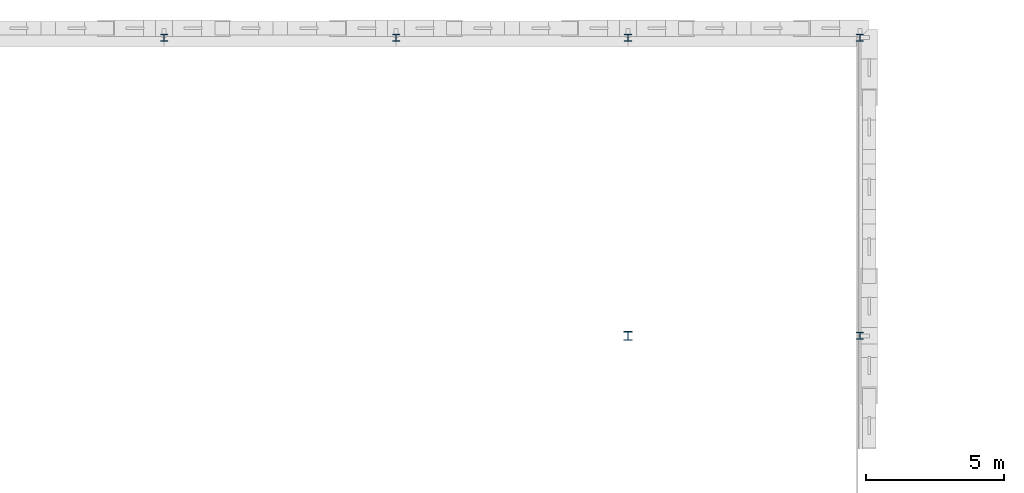
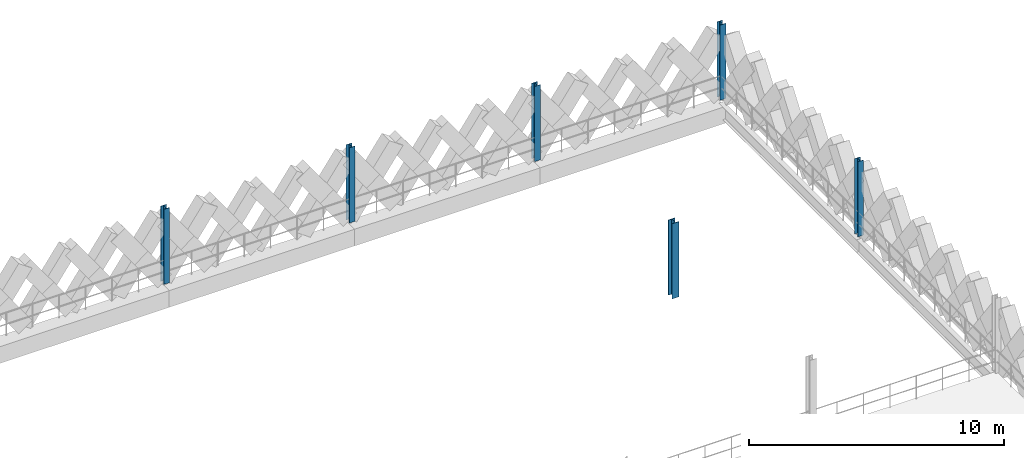
# One storey, part 12 of 47: 6 columns.
"""IFC4 building model written with IfcOpenShell, lengths in metres."""

from ifc_helpers import new_model, si_unit, direction, frame, origin, origin_2d, place, context, subcontext, project, spatial, i_section, extrude, material, material_profile, profile_set, type_object, element, save


model = new_model("IFC4")

# Units and contexts
model_context = context("Model", 3, precision=1e-05, world=origin(), true_north=direction((0.0, 1.0)))
body_context = subcontext(model_context, "Body", "Model", "MODEL_VIEW")
ifc_project = project(units=[si_unit("LENGTHUNIT", "METRE"), si_unit("AREAUNIT", "SQUARE_METRE"), si_unit("VOLUMEUNIT", "CUBIC_METRE"), si_unit("PLANEANGLEUNIT", "RADIAN"), si_unit("MASSUNIT", "GRAM", prefix="KILO"), si_unit("THERMODYNAMICTEMPERATUREUNIT", "KELVIN"), si_unit("POWERUNIT", "WATT")], contexts=[model_context])

# Site, building, storey
site_placement = place(None, origin())
site = spatial("IfcSite", under=ifc_project, at=site_placement, CompositionType="ELEMENT")
building_placement = place(site_placement, origin())
building = spatial("IfcBuilding", under=site, at=building_placement, Name="Tembeka Court Mobility Hub", CompositionType="ELEMENT")
storey_placement = place(building_placement, frame((0.0, 0.0, 19.800048828125)))
storey = spatial("IfcBuildingStorey", under=building, at=storey_placement, Name="L05", CompositionType="ELEMENT", Elevation=19.800048828125)

# Columns
ifc_material = material(Name="Steel S355", Category="steel")
ifc_material_profile_1 = material_profile(ifc_material, i_section(OverallWidth=0.30908203125, OverallDepth=0.321044921875, WebThickness=0.013916015625, FlangeThickness=0.021728515625, FilletRadius=0.01513671875, at=origin_2d()), Name="UKC 305x305x137")
ifc_profile_set_1 = profile_set([ifc_material_profile_1], Name="Steel S355")
column_type_1 = type_object("IfcColumnType", Name="COL-C04", PredefinedType="COLUMN", material=ifc_profile_set_1)
column_placement = place(storey_placement, frame((84.0, 108.0, 0.0), z_axis=(0.0, 0.0, 1.0), x_axis=(1.0, 0.0, 0.0)))
element("IfcColumn", 1, at=column_placement, inside=storey, type_object=column_type_1, Name="Column C04 (L05-123)", PredefinedType="COLUMN", context=body_context, shape_type="SweptSolid", body=[
    extrude(i_section(OverallWidth=0.30908203125, OverallDepth=0.321044921875, WebThickness=0.013916015625, FlangeThickness=0.021728515625, FilletRadius=0.01513671875, at=origin_2d()), origin(), (0.0, 0.0, 1.0), 3.599853515625),
])
ifc_material_profile_2 = material_profile(ifc_material, i_section(OverallWidth=0.256103515625, OverallDepth=0.260009765625, WebThickness=0.01025390625, FlangeThickness=0.017333984375, FilletRadius=0.0126953125, at=origin_2d()), Name="UKC 254x254x89")
ifc_profile_set_2 = profile_set([ifc_material_profile_2], Name="Steel S355")
column_type_2 = type_object("IfcColumnType", Name="COL-C05", PredefinedType="COLUMN", material=ifc_profile_set_2)
for number, where, z_axis, x_axis, name in (
    (2, (67.199951171875, 118.800048828125, 0.0), (0.0, 0.0, 1.0), (1.0, 0.0, 0.0), "Column C05 (L05-102)"),
    (3, (75.60009765625, 118.800048828125, 0.0), (0.0, 0.0, 1.0), (1.0, 0.0, 0.0), "Column C05 (L05-112)"),
    (4, (84.0, 118.800048828125, 0.0), (0.0, 0.0, 1.0), (1.0, 0.0, 0.0), "Column C05 (L05-124)"),
    (5, (92.39990234375, 108.0, 0.0), (0.0, 0.0, 1.0), (1.0, 0.0, 0.0), "Column C05 (L05-135)"),
    (6, (92.39990234375, 118.800048828125, 0.0), (0.0, 0.0, 1.0), (1.0, 0.0, 0.0), "Column C05 (L05-136)"),
):
    element("IfcColumn", number, at=place(storey_placement, frame(where, z_axis=z_axis, x_axis=x_axis)), inside=storey, type_object=column_type_2, Name=name, PredefinedType="COLUMN", context=body_context, shape_type="SweptSolid", body=[
        extrude(i_section(OverallWidth=0.256103515625, OverallDepth=0.260009765625, WebThickness=0.01025390625, FlangeThickness=0.017333984375, FilletRadius=0.0126953125, at=origin_2d()), origin(), (0.0, 0.0, 1.0), 3.599853515625),
    ])

save(model, "model.ifc")
